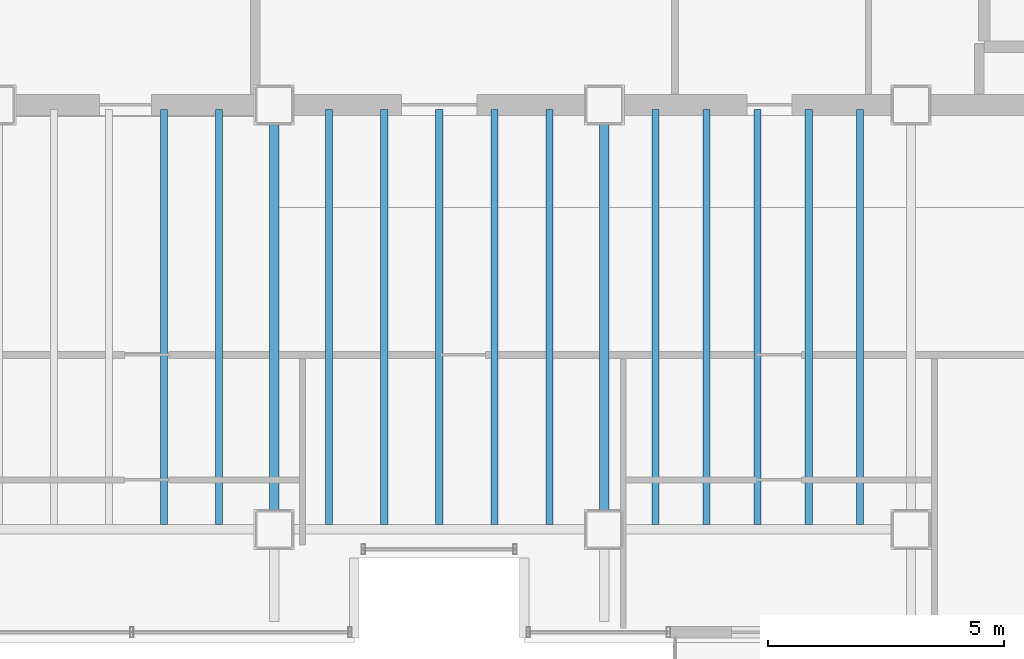
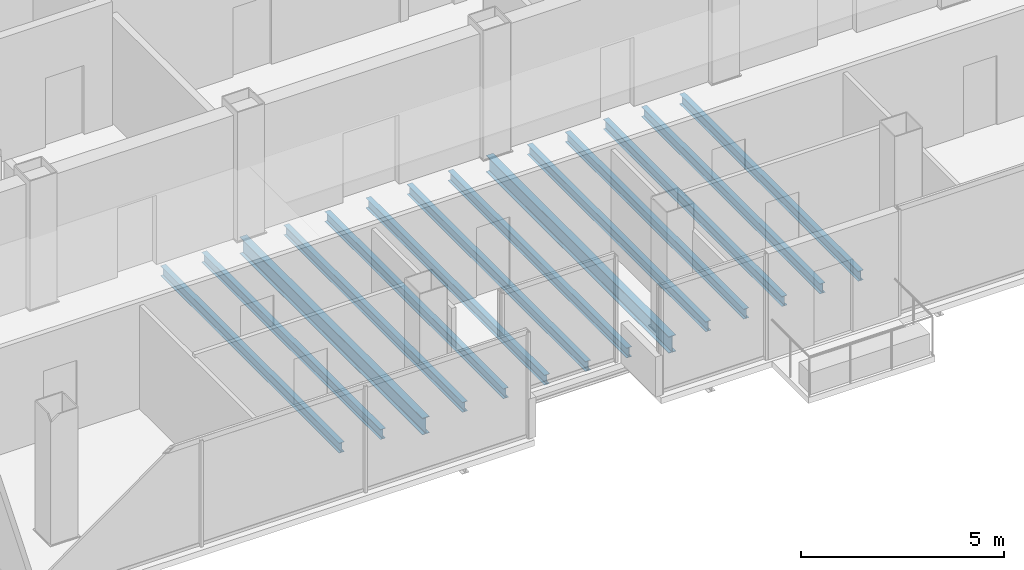
# One storey, part 7 of 17: 14 beams.
"""IFC4 building model written with IfcOpenShell, lengths in metres."""

from ifc_helpers import new_model, si_unit, direction, frame, origin, origin_2d, place, context, subcontext, project, spatial, i_section, extrude, material, material_profile, profile_set, type_object, element, save


model = new_model("IFC4")

# Units and contexts
model_context = context("Model", 3, precision=1e-05, world=origin(), true_north=direction((0.0, 1.0)))
body_context = subcontext(model_context, "Body", "Model", "MODEL_VIEW")
ifc_project = project(units=[si_unit("LENGTHUNIT", "METRE"), si_unit("AREAUNIT", "SQUARE_METRE"), si_unit("VOLUMEUNIT", "CUBIC_METRE"), si_unit("PLANEANGLEUNIT", "RADIAN"), si_unit("MASSUNIT", "GRAM", prefix="KILO")], contexts=[model_context])

# Site, building, storey
site_placement = place(None, origin())
site = spatial("IfcSite", under=ifc_project, at=site_placement, CompositionType="ELEMENT")
building_placement = place(site_placement, origin())
building = spatial("IfcBuilding", under=site, at=building_placement, Name="Noeulbin Bourse Tower", CompositionType="ELEMENT")
storey_placement = place(building_placement, frame((0.0, 0.0, 265.699951171875)))
storey = spatial("IfcBuildingStorey", under=building, at=storey_placement, Name="L66", CompositionType="ELEMENT", Elevation=265.699951171875)

# Beams
ifc_material = material(Name="Steel S355", Category="steel")
ifc_material_profile_1 = material_profile(ifc_material, i_section(OverallWidth=0.199951171875, OverallDepth=0.5, WebThickness=0.010009765625, FlangeThickness=0.01611328125, FilletRadius=0.02001953125, at=origin_2d()), Name="H-500x200x10x16", Category="LoadBearing")
ifc_profile_set_1 = profile_set([ifc_material_profile_1], Name="Steel S355")
beam_type_1 = type_object("IfcBeamType", Name="BM-GRD-500", PredefinedType="USERDEFINED", material=ifc_profile_set_1)
for number, where, z_axis, x_axis, name in (
    (1, (24.0, 20.0, -0.429931640625), (0.0, 1.0, 0.0), (-1.0, 0.0, 0.0), "Tower Primary Girder NS L66-2.2"),
    (2, (31.0, 20.0, -0.429931640625), (0.0, 1.0, 0.0), (-1.0, 0.0, 0.0), "Tower Primary Girder NS L66-3.2"),
):
    element("IfcBeam", number, at=place(storey_placement, frame(where, z_axis=z_axis, x_axis=x_axis)), inside=storey, type_object=beam_type_1, Name=name, ObjectType="GIRDER", PredefinedType="USERDEFINED", context=body_context, shape_type="SweptSolid", body=[
        extrude(i_section(OverallWidth=0.199951171875, OverallDepth=0.5, WebThickness=0.010009765625, FlangeThickness=0.01611328125, FilletRadius=0.02001953125, at=origin_2d()), origin(), (0.0, 0.0, 1.0), 9.0),
    ])
ifc_material_profile_2 = material_profile(ifc_material, i_section(OverallWidth=0.14990234375, OverallDepth=0.300048828125, WebThickness=0.006591796875, FlangeThickness=0.009033203125, FilletRadius=0.012939453125, at=origin_2d()), Name="H-300x150x6.5x9", Category="LoadBearing")
ifc_profile_set_2 = profile_set([ifc_material_profile_2], Name="Steel S355")
beam_type_2 = type_object("IfcBeamType", Name="BM-JST-300", PredefinedType="JOIST", material=ifc_profile_set_2)
for number, where, z_axis, x_axis, name in (
    (3, (21.666748046875, 20.10009765625, -0.329833984375), (0.0, 1.0, 0.0), (-1.0, 0.0, 0.0), "Tower Composite Joist L66-13"),
    (4, (22.833251953125, 20.10009765625, -0.329833984375), (0.0, 1.0, 0.0), (-1.0, 0.0, 0.0), "Tower Composite Joist L66-15"),
    (5, (25.166748046875, 20.10009765625, -0.329833984375), (0.0, 1.0, 0.0), (-1.0, 0.0, 0.0), "Tower Composite Joist L66-17"),
    (6, (26.333251953125, 20.10009765625, -0.329833984375), (0.0, 1.0, 0.0), (-1.0, 0.0, 0.0), "Tower Composite Joist L66-19"),
    (7, (27.5, 20.10009765625, -0.329833984375), (0.0, 1.0, 0.0), (-1.0, 0.0, 0.0), "Tower Composite Joist L66-21"),
    (8, (28.666748046875, 20.10009765625, -0.329833984375), (0.0, 1.0, 0.0), (-1.0, 0.0, 0.0), "Tower Composite Joist L66-23"),
    (9, (29.833251953125, 20.10009765625, -0.329833984375), (0.0, 1.0, 0.0), (-1.0, 0.0, 0.0), "Tower Composite Joist L66-25"),
    (10, (32.083251953125, 20.10009765625, -0.329833984375), (0.0, 1.0, 0.0), (-1.0, 0.0, 0.0), "Tower Composite Joist L66-27"),
    (11, (33.166748046875, 20.10009765625, -0.329833984375), (0.0, 1.0, 0.0), (-1.0, 0.0, 0.0), "Tower Composite Joist L66-29"),
    (12, (34.25, 20.10009765625, -0.329833984375), (0.0, 1.0, 0.0), (-1.0, 0.0, 0.0), "Tower Composite Joist L66-31"),
    (13, (35.333251953125, 20.10009765625, -0.329833984375), (0.0, 1.0, 0.0), (-1.0, 0.0, 0.0), "Tower Composite Joist L66-33"),
    (14, (36.416748046875, 20.10009765625, -0.329833984375), (0.0, 1.0, 0.0), (-1.0, 0.0, 0.0), "Tower Composite Joist L66-35"),
):
    element("IfcBeam", number, at=place(storey_placement, frame(where, z_axis=z_axis, x_axis=x_axis)), inside=storey, type_object=beam_type_2, Name=name, PredefinedType="JOIST", context=body_context, shape_type="SweptSolid", body=[
        extrude(i_section(OverallWidth=0.14990234375, OverallDepth=0.300048828125, WebThickness=0.006591796875, FlangeThickness=0.009033203125, FilletRadius=0.012939453125, at=origin_2d()), origin(), (0.0, 0.0, 1.0), 8.7998046875),
    ])

save(model, "model.ifc")
